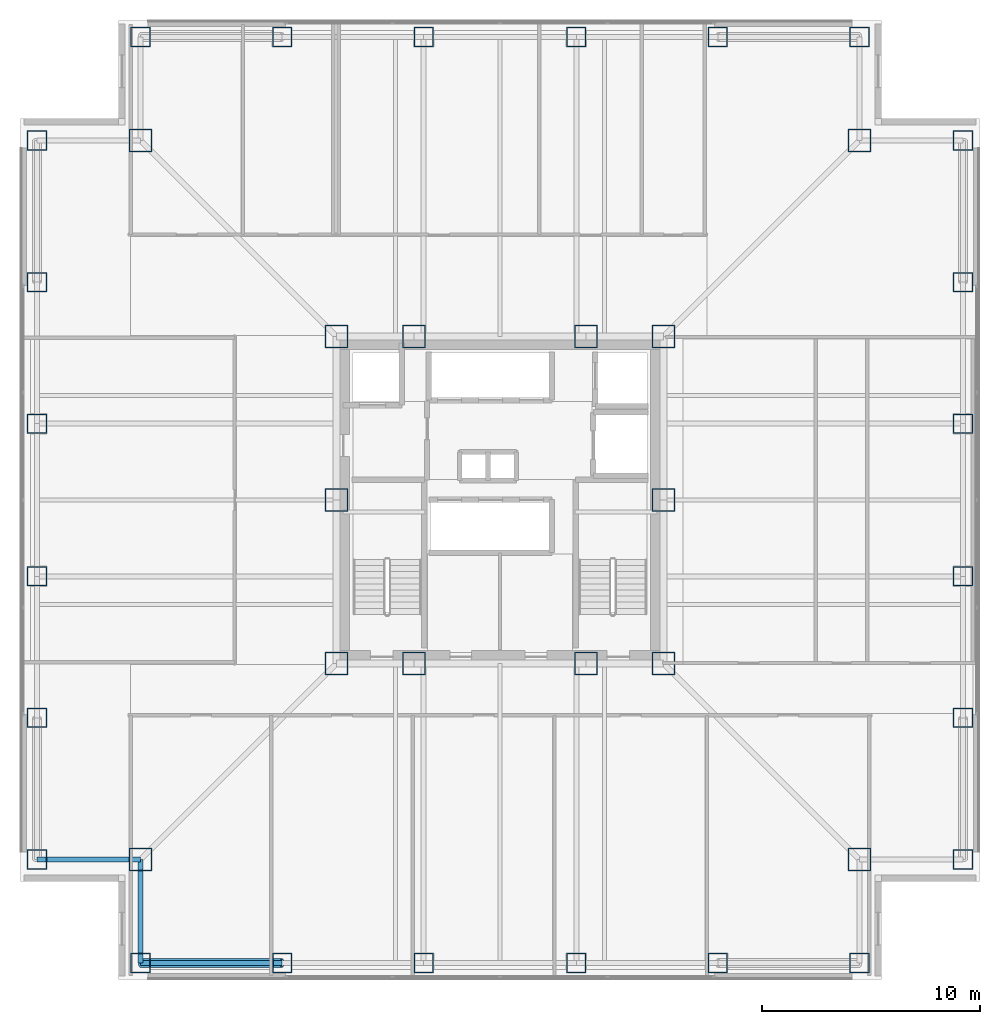
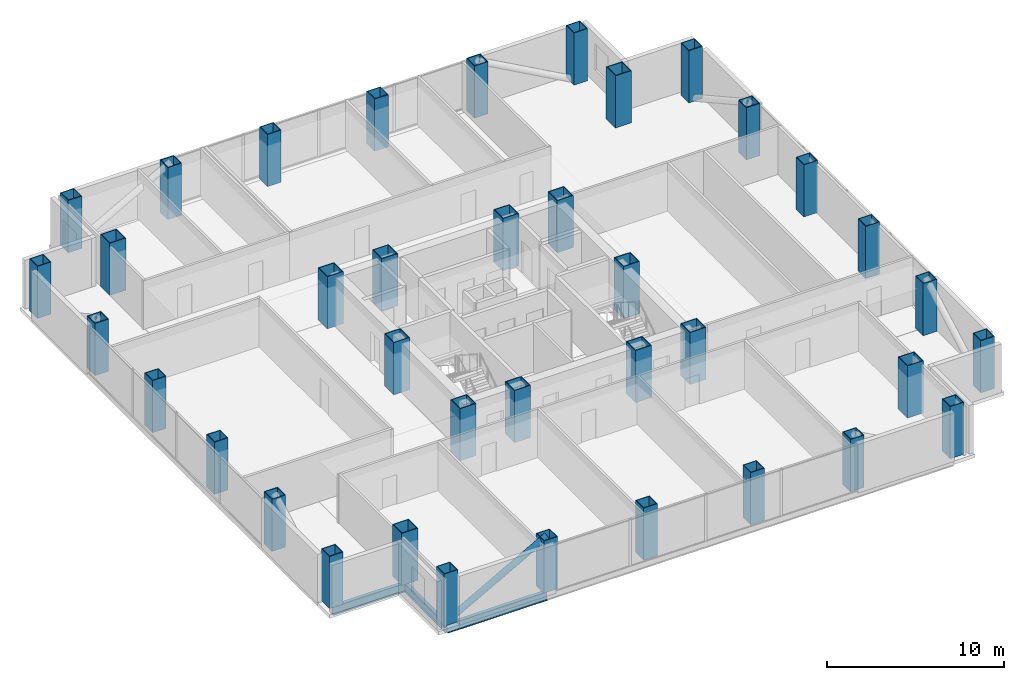
# One storey, part 1 of 13: 38 columns, 3 beams, 1 member.
"""IFC4 building model written with IfcOpenShell, lengths in metres."""

from ifc_helpers import new_model, si_unit, direction, frame, origin, origin_2d, place, context, subcontext, project, spatial, hollow_rectangle, hollow_circle, i_section, extrude, material, material_profile, profile_set, type_object, element, save


model = new_model("IFC4")

# Units and contexts
model_context = context("Model", 3, precision=1e-05, world=origin(), true_north=direction((0.0, 1.0)))
body_context = subcontext(model_context, "Body", "Model", "MODEL_VIEW")
ifc_project = project(units=[si_unit("LENGTHUNIT", "METRE"), si_unit("AREAUNIT", "SQUARE_METRE"), si_unit("VOLUMEUNIT", "CUBIC_METRE"), si_unit("PLANEANGLEUNIT", "RADIAN"), si_unit("MASSUNIT", "GRAM", prefix="KILO")], contexts=[model_context])

# Site, building, storey
site_placement = place(None, origin())
site = spatial("IfcSite", under=ifc_project, at=site_placement, CompositionType="ELEMENT")
building_placement = place(site_placement, origin())
building = spatial("IfcBuilding", under=site, at=building_placement, Name="Trevonay Congress Spire", CompositionType="ELEMENT")
storey_placement = place(building_placement, frame((0.0, 0.0, 112.0)))
storey = spatial("IfcBuildingStorey", under=building, at=storey_placement, Name="L28", CompositionType="ELEMENT", Elevation=112.0)

# Columns
ifc_material_1 = material(Name="Steel ASTM A572 Grade 50", Category="steel")
ifc_material_profile_1 = material_profile(ifc_material_1, hollow_rectangle(XDim=1.050048828125, YDim=1.050048828125, WallThickness=0.050048828125, at=origin_2d()), Name="BOX 1050x1050x50")
ifc_profile_set_1 = profile_set([ifc_material_profile_1], Name="Steel ASTM A572 Grade 50")
column_type_1 = type_object("IfcColumnType", Name="COL-CORE-BOX1050", PredefinedType="COLUMN", material=ifc_profile_set_1)
for number, where, z_axis, x_axis, name in (
    (1, (-7.5, -7.5, 0.0), (0.0, 0.0, 1.0), (1.0, 0.0, 0.0), "L28 column C03 at CC-SW"),
    (2, (-3.949951171875, -7.5, 0.0), (0.0, 0.0, 1.0), (1.0, 0.0, 0.0), "L28 column C03 at CC-SMW"),
    (3, (3.949951171875, -7.5, 0.0), (0.0, 0.0, 1.0), (1.0, 0.0, 0.0), "L28 column C03 at CC-SME"),
    (4, (7.5, -7.5, 0.0), (0.0, 0.0, 1.0), (1.0, 0.0, 0.0), "L28 column C03 at CC-SE"),
    (5, (7.5, 0.0, 0.0), (0.0, 0.0, 1.0), (1.0, 0.0, 0.0), "L28 column C03 at CC-E"),
    (6, (7.5, 7.5, 0.0), (0.0, 0.0, 1.0), (1.0, 0.0, 0.0), "L28 column C03 at CC-NE"),
    (7, (3.949951171875, 7.5, 0.0), (0.0, 0.0, 1.0), (1.0, 0.0, 0.0), "L28 column C03 at CC-NME"),
    (8, (-3.949951171875, 7.5, 0.0), (0.0, 0.0, 1.0), (1.0, 0.0, 0.0), "L28 column C03 at CC-NMW"),
    (9, (-7.5, 7.5, 0.0), (0.0, 0.0, 1.0), (1.0, 0.0, 0.0), "L28 column C03 at CC-NW"),
    (10, (-7.5, 0.0, 0.0), (0.0, 0.0, 1.0), (1.0, 0.0, 0.0), "L28 column C03 at CC-W"),
):
    element("IfcColumn", number, at=place(storey_placement, frame(where, z_axis=z_axis, x_axis=x_axis)), inside=storey, type_object=column_type_1, Name=name, PredefinedType="COLUMN", context=body_context, shape_type="SweptSolid", body=[
        extrude(hollow_rectangle(XDim=1.050048828125, YDim=1.050048828125, WallThickness=0.050048828125, at=origin_2d()), origin(), (0.0, 0.0, 1.0), 3.60009765625),
    ])
ifc_material_profile_2 = material_profile(ifc_material_1, hollow_rectangle(XDim=1.050048828125, YDim=1.050048828125, WallThickness=0.050048828125, at=origin_2d()), Name="BOX 1050x1050x50")
ifc_profile_set_2 = profile_set([ifc_material_profile_2], Name="Steel ASTM A572 Grade 50")
column_type_2 = type_object("IfcColumnType", Name="COL-TUBE-BOX1050", PredefinedType="COLUMN", material=ifc_profile_set_2)
for number, where, z_axis, x_axis, name in (
    (11, (-16.5, -16.5, 0.0), (0.0, 0.0, 1.0), (1.0, 0.0, 0.0), "L28 column C14 at NC-SW"),
    (12, (16.5, -16.5, 0.0), (0.0, 0.0, 1.0), (1.0, 0.0, 0.0), "L28 column C14 at NC-SE"),
    (13, (16.5, 16.5, 0.0), (0.0, 0.0, 1.0), (1.0, 0.0, 0.0), "L28 column C14 at NC-NE"),
    (14, (-16.5, 16.5, 0.0), (0.0, 0.0, 1.0), (1.0, 0.0, 0.0), "L28 column C14 at NC-NW"),
):
    element("IfcColumn", number, at=place(storey_placement, frame(where, z_axis=z_axis, x_axis=x_axis)), inside=storey, type_object=column_type_2, Name=name, PredefinedType="COLUMN", context=body_context, shape_type="SweptSolid", body=[
        extrude(hollow_rectangle(XDim=1.050048828125, YDim=1.050048828125, WallThickness=0.050048828125, at=origin_2d()), origin(), (0.0, 0.0, 1.0), 3.60009765625),
    ])
ifc_material_profile_3 = material_profile(ifc_material_1, hollow_rectangle(XDim=0.89990234375, YDim=0.89990234375, WallThickness=0.044921875, at=origin_2d()), Name="BOX 900x900x45")
ifc_profile_set_3 = profile_set([ifc_material_profile_3], Name="Steel ASTM A572 Grade 50")
column_type_3 = type_object("IfcColumnType", Name="COL-TUBE-BOX900", PredefinedType="COLUMN", material=ifc_profile_set_3)
for number, where, z_axis, x_axis, name in (
    (15, (-16.5, -21.25, 0.0), (0.0, 0.0, 1.0), (1.0, 0.0, 0.0), "L28 column C15 at TS-1"),
    (16, (-16.5, 21.25, 0.0), (0.0, 0.0, 1.0), (1.0, 0.0, 0.0), "L28 column C15 at TN-1"),
    (17, (-21.25, -16.5, 0.0), (0.0, 0.0, 1.0), (1.0, 0.0, 0.0), "L28 column C15 at TW-1"),
    (18, (21.25, -16.5, 0.0), (0.0, 0.0, 1.0), (1.0, 0.0, 0.0), "L28 column C15 at TE-1"),
    (19, (-10.0, -21.25, 0.0), (0.0, 0.0, 1.0), (1.0, 0.0, 0.0), "L28 column C15 at TS-2"),
    (20, (-10.0, 21.25, 0.0), (0.0, 0.0, 1.0), (1.0, 0.0, 0.0), "L28 column C15 at TN-2"),
    (21, (-21.25, -10.0, 0.0), (0.0, 0.0, 1.0), (1.0, 0.0, 0.0), "L28 column C15 at TW-2"),
    (22, (21.25, -10.0, 0.0), (0.0, 0.0, 1.0), (1.0, 0.0, 0.0), "L28 column C15 at TE-2"),
    (23, (-3.5, -21.25, 0.0), (0.0, 0.0, 1.0), (1.0, 0.0, 0.0), "L28 column C15 at TS-3"),
    (24, (-3.5, 21.25, 0.0), (0.0, 0.0, 1.0), (1.0, 0.0, 0.0), "L28 column C15 at TN-3"),
    (25, (-21.25, -3.5, 0.0), (0.0, 0.0, 1.0), (1.0, 0.0, 0.0), "L28 column C15 at TW-3"),
    (26, (21.25, -3.5, 0.0), (0.0, 0.0, 1.0), (1.0, 0.0, 0.0), "L28 column C15 at TE-3"),
    (27, (3.5, -21.25, 0.0), (0.0, 0.0, 1.0), (1.0, 0.0, 0.0), "L28 column C15 at TS-4"),
    (28, (3.5, 21.25, 0.0), (0.0, 0.0, 1.0), (1.0, 0.0, 0.0), "L28 column C15 at TN-4"),
    (29, (-21.25, 3.5, 0.0), (0.0, 0.0, 1.0), (1.0, 0.0, 0.0), "L28 column C15 at TW-4"),
    (30, (21.25, 3.5, 0.0), (0.0, 0.0, 1.0), (1.0, 0.0, 0.0), "L28 column C15 at TE-4"),
    (31, (10.0, -21.25, 0.0), (0.0, 0.0, 1.0), (1.0, 0.0, 0.0), "L28 column C15 at TS-5"),
    (32, (10.0, 21.25, 0.0), (0.0, 0.0, 1.0), (1.0, 0.0, 0.0), "L28 column C15 at TN-5"),
    (33, (-21.25, 10.0, 0.0), (0.0, 0.0, 1.0), (1.0, 0.0, 0.0), "L28 column C15 at TW-5"),
    (34, (21.25, 10.0, 0.0), (0.0, 0.0, 1.0), (1.0, 0.0, 0.0), "L28 column C15 at TE-5"),
    (35, (16.5, -21.25, 0.0), (0.0, 0.0, 1.0), (1.0, 0.0, 0.0), "L28 column C15 at TS-6"),
    (36, (16.5, 21.25, 0.0), (0.0, 0.0, 1.0), (1.0, 0.0, 0.0), "L28 column C15 at TN-6"),
    (37, (-21.25, 16.5, 0.0), (0.0, 0.0, 1.0), (1.0, 0.0, 0.0), "L28 column C15 at TW-6"),
    (38, (21.25, 16.5, 0.0), (0.0, 0.0, 1.0), (1.0, 0.0, 0.0), "L28 column C15 at TE-6"),
):
    element("IfcColumn", number, at=place(storey_placement, frame(where, z_axis=z_axis, x_axis=x_axis)), inside=storey, type_object=column_type_3, Name=name, PredefinedType="COLUMN", context=body_context, shape_type="SweptSolid", body=[
        extrude(hollow_rectangle(XDim=0.89990234375, YDim=0.89990234375, WallThickness=0.044921875, at=origin_2d()), origin(), (0.0, 0.0, 1.0), 3.60009765625),
    ])

# Beams
ifc_material_profile_4 = material_profile(ifc_material_1, i_section(OverallWidth=0.22802734375, OverallDepth=0.60791015625, WebThickness=0.01123046875, FlangeThickness=0.017333984375, FilletRadius=0.01611328125, at=origin_2d()), Name="W610x113")
ifc_profile_set_4 = profile_set([ifc_material_profile_4], Name="Steel ASTM A572 Grade 50")
beam_type = type_object("IfcBeamType", Name="BM-RING-W610X113", PredefinedType="BEAM", material=ifc_profile_set_4)
beam_placement = place(storey_placement, frame((-16.5, -21.25, -0.5439453125), z_axis=(1.0, 0.0, 0.0), x_axis=(0.0, 1.0, 0.0)))
element("IfcBeam", 39, at=beam_placement, inside=storey, type_object=beam_type, Name="L28 structural beam BM-L28-PS1", PredefinedType="BEAM", context=body_context, shape_type="SweptSolid", body=[
    extrude(i_section(OverallWidth=0.22802734375, OverallDepth=0.60791015625, WebThickness=0.01123046875, FlangeThickness=0.017333984375, FilletRadius=0.01611328125, at=origin_2d()), origin(), (0.0, 0.0, 1.0), 6.5),
])
for number, where, z_axis, x_axis, name in (
    (40, (-16.5, -21.25, -0.5439453125), (0.0, 1.0, 0.0), (-1.0, 0.0, 0.0), "L28 structural beam BM-L28-N1SW"),
    (41, (-21.25, -16.5, -0.5439453125), (1.0, 0.0, 0.0), (0.0, 1.0, 0.0), "L28 structural beam BM-L28-N2SW"),
):
    element("IfcBeam", number, at=place(storey_placement, frame(where, z_axis=z_axis, x_axis=x_axis)), inside=storey, type_object=beam_type, Name=name, PredefinedType="BEAM", context=body_context, shape_type="SweptSolid", body=[
        extrude(i_section(OverallWidth=0.22802734375, OverallDepth=0.60791015625, WebThickness=0.01123046875, FlangeThickness=0.017333984375, FilletRadius=0.01611328125, at=origin_2d()), origin(), (0.0, 0.0, 1.0), 4.75),
    ])

# Member
ifc_material_2 = material(Name="Steel ASTM A500 Grade C", Category="steel")
ifc_material_profile_5 = material_profile(ifc_material_2, hollow_circle(Radius=0.203125, WallThickness=0.02001953125, at=origin_2d()), Name="CHS 406.4x20")
ifc_profile_set_5 = profile_set([ifc_material_profile_5], Name="Steel ASTM A500 Grade C")
member_type = type_object("IfcMemberType", Name="MBR-TUBE-CHS406", PredefinedType="BRACE", material=ifc_profile_set_5)
member_placement = place(storey_placement, frame((-16.5, -21.25, -0.050048828125), z_axis=(0.874785785626, 0.0, 0.484509885623), x_axis=(0.0, 1.0, 0.0)))
element("IfcMember", 42, at=member_placement, inside=storey, type_object=member_type, Name="L28 perimeter braced-tube diagonal S0", PredefinedType="BRACE", context=body_context, shape_type="SweptSolid", body=[
    extrude(hollow_circle(Radius=0.203125, WallThickness=0.02001953125, at=origin_2d()), origin(), (0.0, 0.0, 1.0), 7.430419921875),
])

save(model, "model.ifc")
